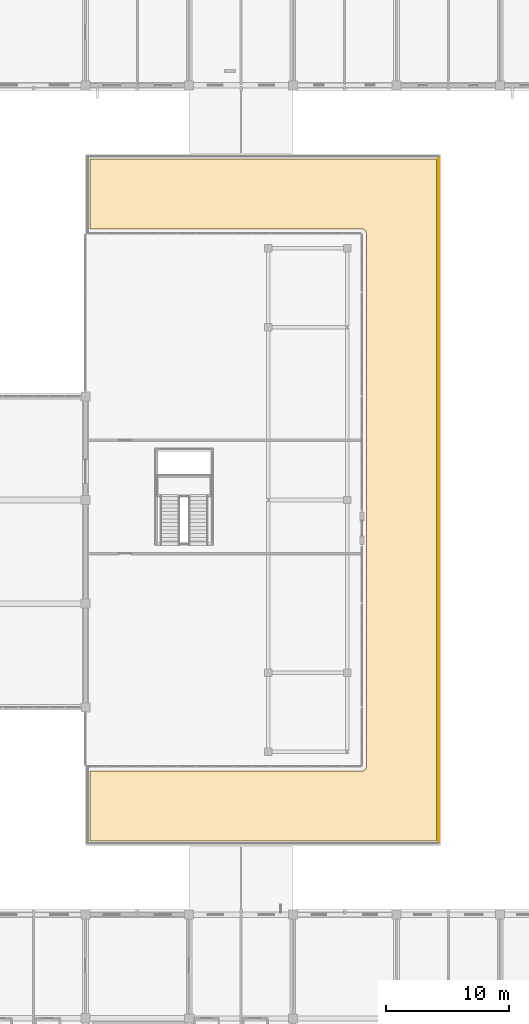
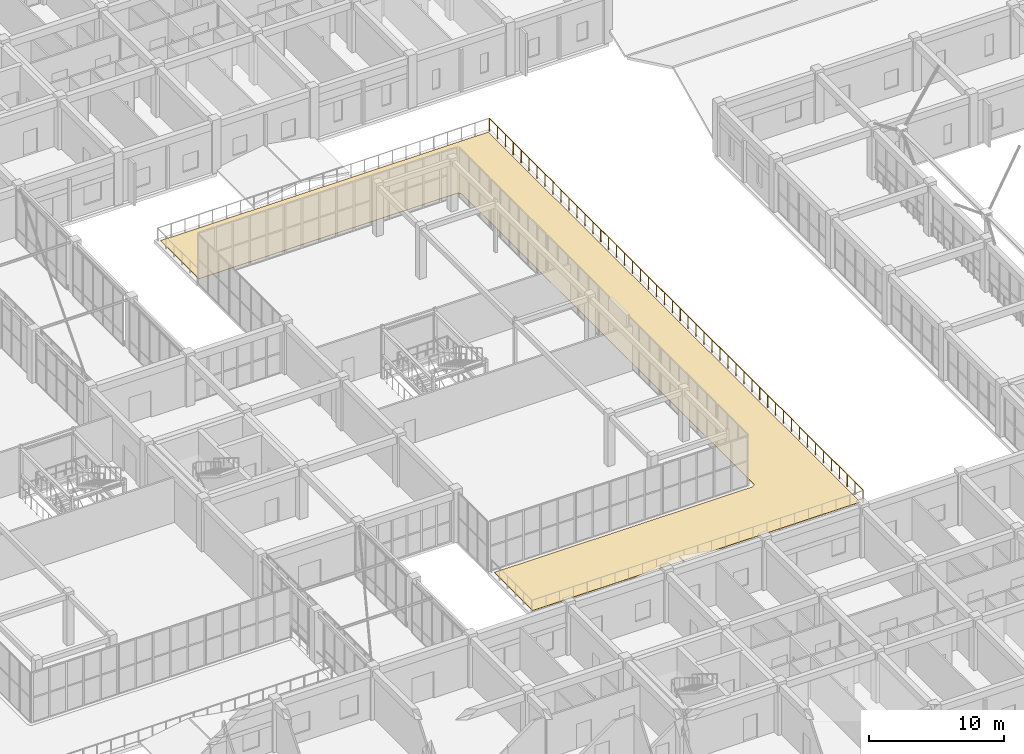
# One storey, part 151 of 158: 1 covering, 1 railing.
"""IFC4 building model written with IfcOpenShell, lengths in metres."""

from ifc_helpers import new_model, si_unit, direction, frame, origin, origin_2d, place, context, subcontext, project, spatial, polyline, circle, outline, extrude, material, layer, layer_set, type_object, element, save


model = new_model("IFC4")

# Units and contexts
model_context = context("Model", 3, precision=1e-05, world=origin(), true_north=direction((0.0, 1.0)))
body_context = subcontext(model_context, "Body", "Model", "MODEL_VIEW")
ifc_project = project(units=[si_unit("LENGTHUNIT", "METRE"), si_unit("AREAUNIT", "SQUARE_METRE"), si_unit("VOLUMEUNIT", "CUBIC_METRE"), si_unit("PLANEANGLEUNIT", "RADIAN"), si_unit("MASSUNIT", "GRAM", prefix="KILO")], contexts=[model_context])

# Site, building, storey
site_placement = place(None, origin())
site = spatial("IfcSite", under=ifc_project, at=site_placement, CompositionType="ELEMENT")
building_placement = place(site_placement, origin())
building = spatial("IfcBuilding", under=site, at=building_placement, Name="Trelvath General Hospital", CompositionType="ELEMENT")
storey_placement = place(building_placement, frame((0.0, 0.0, 8.10009765625)))
storey = spatial("IfcBuildingStorey", under=building, at=storey_placement, Name="L02", CompositionType="ELEMENT", Elevation=8.10009765625)

# Railing
ifc_material_1 = material(Name="Architectural painted steel", Category="steel")
railing_type = type_object("IfcRailingType", Name="Guardrail Terrace1150", PredefinedType="GUARDRAIL", material=ifc_material_1)
railing_placement = place(storey_placement, frame((121.02001953125, 31.0400390625, 0.0)))
element("IfcRailing", 1, at=railing_placement, inside=storey, type_object=railing_type, Name="Cube Terrace Guardrail TERR-CE-U2 2 25", PredefinedType="GUARDRAIL", context=body_context, shape_type="SweptSolid", body=[
    extrude(circle(Radius=0.02392578125, at=origin_2d()), frame((0.0, 0.0, 1.1259765625), z_axis=(0.0, 1.0, 0.0), x_axis=(-1.0, 0.0, 0.0)), (0.0, 0.0, 1.0), 55.52001953125),
    extrude(circle(Radius=0.02099609375, at=origin_2d()), origin(), (0.0, 0.0, 1.0), 1.099853515625),
    extrude(circle(Radius=0.02099609375, at=origin_2d()), frame((0.0, 1.181396484375, 0.0)), (0.0, 0.0, 1.0), 1.099853515625),
    extrude(circle(Radius=0.02099609375, at=origin_2d()), frame((0.0, 2.362548828125, 0.0)), (0.0, 0.0, 1.0), 1.099853515625),
    extrude(circle(Radius=0.02099609375, at=origin_2d()), frame((0.0, 3.5439453125, 0.0)), (0.0, 0.0, 1.0), 1.099853515625),
    extrude(circle(Radius=0.02099609375, at=origin_2d()), frame((0.0, 4.72509765625, 0.0)), (0.0, 0.0, 1.0), 1.099853515625),
    extrude(circle(Radius=0.02099609375, at=origin_2d()), frame((0.0, 5.906494140625, 0.0)), (0.0, 0.0, 1.0), 1.099853515625),
    extrude(circle(Radius=0.02099609375, at=origin_2d()), frame((0.0, 7.087646484375, 0.0)), (0.0, 0.0, 1.0), 1.099853515625),
    extrude(circle(Radius=0.02099609375, at=origin_2d()), frame((0.0, 8.26904296875, 0.0)), (0.0, 0.0, 1.0), 1.099853515625),
    extrude(circle(Radius=0.02099609375, at=origin_2d()), frame((0.0, 9.4501953125, 0.0)), (0.0, 0.0, 1.0), 1.099853515625),
    extrude(circle(Radius=0.02099609375, at=origin_2d()), frame((0.0, 10.631591796875, 0.0)), (0.0, 0.0, 1.0), 1.099853515625),
    extrude(circle(Radius=0.02099609375, at=origin_2d()), frame((0.0, 11.812744140625, 0.0)), (0.0, 0.0, 1.0), 1.099853515625),
    extrude(circle(Radius=0.02099609375, at=origin_2d()), frame((0.0, 12.994140625, 0.0)), (0.0, 0.0, 1.0), 1.099853515625),
    extrude(circle(Radius=0.02099609375, at=origin_2d()), frame((0.0, 14.17529296875, 0.0)), (0.0, 0.0, 1.0), 1.099853515625),
    extrude(circle(Radius=0.02099609375, at=origin_2d()), frame((0.0, 15.356689453125, 0.0)), (0.0, 0.0, 1.0), 1.099853515625),
    extrude(circle(Radius=0.02099609375, at=origin_2d()), frame((0.0, 16.537841796875, 0.0)), (0.0, 0.0, 1.0), 1.099853515625),
    extrude(circle(Radius=0.02099609375, at=origin_2d()), frame((0.0, 17.71923828125, 0.0)), (0.0, 0.0, 1.0), 1.099853515625),
    extrude(circle(Radius=0.02099609375, at=origin_2d()), frame((0.0, 18.900390625, 0.0)), (0.0, 0.0, 1.0), 1.099853515625),
    extrude(circle(Radius=0.02099609375, at=origin_2d()), frame((0.0, 20.081787109375, 0.0)), (0.0, 0.0, 1.0), 1.099853515625),
    extrude(circle(Radius=0.02099609375, at=origin_2d()), frame((0.0, 21.262939453125, 0.0)), (0.0, 0.0, 1.0), 1.099853515625),
    extrude(circle(Radius=0.02099609375, at=origin_2d()), frame((0.0, 22.4443359375, 0.0)), (0.0, 0.0, 1.0), 1.099853515625),
    extrude(circle(Radius=0.02099609375, at=origin_2d()), frame((0.0, 23.62548828125, 0.0)), (0.0, 0.0, 1.0), 1.099853515625),
    extrude(circle(Radius=0.02099609375, at=origin_2d()), frame((0.0, 24.806884765625, 0.0)), (0.0, 0.0, 1.0), 1.099853515625),
    extrude(circle(Radius=0.02099609375, at=origin_2d()), frame((0.0, 25.988037109375, 0.0)), (0.0, 0.0, 1.0), 1.099853515625),
    extrude(circle(Radius=0.02099609375, at=origin_2d()), frame((0.0, 27.16943359375, 0.0)), (0.0, 0.0, 1.0), 1.099853515625),
    extrude(circle(Radius=0.02099609375, at=origin_2d()), frame((0.0, 28.3505859375, 0.0)), (0.0, 0.0, 1.0), 1.099853515625),
    extrude(circle(Radius=0.02099609375, at=origin_2d()), frame((0.0, 29.531982421875, 0.0)), (0.0, 0.0, 1.0), 1.099853515625),
    extrude(circle(Radius=0.02099609375, at=origin_2d()), frame((0.0, 30.713134765625, 0.0)), (0.0, 0.0, 1.0), 1.099853515625),
    extrude(circle(Radius=0.02099609375, at=origin_2d()), frame((0.0, 31.89453125, 0.0)), (0.0, 0.0, 1.0), 1.099853515625),
    extrude(circle(Radius=0.02099609375, at=origin_2d()), frame((0.0, 33.07568359375, 0.0)), (0.0, 0.0, 1.0), 1.099853515625),
    extrude(circle(Radius=0.02099609375, at=origin_2d()), frame((0.0, 34.257080078125, 0.0)), (0.0, 0.0, 1.0), 1.099853515625),
    extrude(circle(Radius=0.02099609375, at=origin_2d()), frame((0.0, 35.438232421875, 0.0)), (0.0, 0.0, 1.0), 1.099853515625),
    extrude(circle(Radius=0.02099609375, at=origin_2d()), frame((0.0, 36.61962890625, 0.0)), (0.0, 0.0, 1.0), 1.099853515625),
    extrude(circle(Radius=0.02099609375, at=origin_2d()), frame((0.0, 37.80078125, 0.0)), (0.0, 0.0, 1.0), 1.099853515625),
    extrude(circle(Radius=0.02099609375, at=origin_2d()), frame((0.0, 38.982177734375, 0.0)), (0.0, 0.0, 1.0), 1.099853515625),
    extrude(circle(Radius=0.02099609375, at=origin_2d()), frame((0.0, 40.163330078125, 0.0)), (0.0, 0.0, 1.0), 1.099853515625),
    extrude(circle(Radius=0.02099609375, at=origin_2d()), frame((0.0, 41.3447265625, 0.0)), (0.0, 0.0, 1.0), 1.099853515625),
    extrude(circle(Radius=0.02099609375, at=origin_2d()), frame((0.0, 42.52587890625, 0.0)), (0.0, 0.0, 1.0), 1.099853515625),
    extrude(circle(Radius=0.02099609375, at=origin_2d()), frame((0.0, 43.707275390625, 0.0)), (0.0, 0.0, 1.0), 1.099853515625),
    extrude(circle(Radius=0.02099609375, at=origin_2d()), frame((0.0, 44.888427734375, 0.0)), (0.0, 0.0, 1.0), 1.099853515625),
    extrude(circle(Radius=0.02099609375, at=origin_2d()), frame((0.0, 46.06982421875, 0.0)), (0.0, 0.0, 1.0), 1.099853515625),
    extrude(circle(Radius=0.02099609375, at=origin_2d()), frame((0.0, 47.2509765625, 0.0)), (0.0, 0.0, 1.0), 1.099853515625),
    extrude(circle(Radius=0.02099609375, at=origin_2d()), frame((0.0, 48.432373046875, 0.0)), (0.0, 0.0, 1.0), 1.099853515625),
    extrude(circle(Radius=0.02099609375, at=origin_2d()), frame((0.0, 49.613525390625, 0.0)), (0.0, 0.0, 1.0), 1.099853515625),
    extrude(circle(Radius=0.02099609375, at=origin_2d()), frame((0.0, 50.794921875, 0.0)), (0.0, 0.0, 1.0), 1.099853515625),
    extrude(circle(Radius=0.02099609375, at=origin_2d()), frame((0.0, 51.97607421875, 0.0)), (0.0, 0.0, 1.0), 1.099853515625),
    extrude(circle(Radius=0.02099609375, at=origin_2d()), frame((0.0, 53.157470703125, 0.0)), (0.0, 0.0, 1.0), 1.099853515625),
    extrude(circle(Radius=0.02099609375, at=origin_2d()), frame((0.0, 54.338623046875, 0.0)), (0.0, 0.0, 1.0), 1.099853515625),
    extrude(circle(Radius=0.02099609375, at=origin_2d()), frame((0.0, 55.52001953125, 0.0)), (0.0, 0.0, 1.0), 1.099853515625),
])

# Covering
ifc_material_2 = material(Name="Planted green roof substrate")
ifc_layer = layer(ifc_material_2, 0.179931640625)
ifc_layer_set = layer_set([ifc_layer], Name="Planted green roof substrate")
covering_type = type_object("IfcCoveringType", Name="Roofing PlantedGarden", PredefinedType="ROOFING", material=ifc_layer_set)
covering_placement = place(storey_placement, origin())
element("IfcCovering", 2, at=covering_placement, inside=storey, type_object=covering_type, Name="Crystal Cube Planted Garden TERR-CE-U2", PredefinedType="ROOFING", context=body_context, shape_type="SweptSolid", body=[
    extrude(outline(polyline([(92.75, 31.14990234375), (92.75, 36.85009765625), (114.800048828125, 36.85009765625), (114.834228515625, 36.851806640625), (114.868408203125, 36.856689453125), (114.901611328125, 36.864990234375), (114.933837890625, 36.876708984375), (114.965087890625, 36.891357421875), (114.994384765625, 36.908935546875), (115.02197265625, 36.929443359375), (115.047607421875, 36.952392578125), (115.070556640625, 36.97802734375), (115.091064453125, 37.005615234375), (115.108642578125, 37.034912109375), (115.123291015625, 37.066162109375), (115.135009765625, 37.098388671875), (115.143310546875, 37.131591796875), (115.148193359375, 37.165771484375), (115.14990234375, 37.199951171875), (115.14990234375, 80.39990234375), (115.148193359375, 80.434326171875), (115.143310546875, 80.46826171875), (115.135009765625, 80.501708984375), (115.123291015625, 80.533935546875), (115.108642578125, 80.56494140625), (115.091064453125, 80.594482421875), (115.070556640625, 80.6220703125), (115.047607421875, 80.6474609375), (115.02197265625, 80.670654296875), (114.994384765625, 80.69091796875), (114.965087890625, 80.708740234375), (114.933837890625, 80.723388671875), (114.901611328125, 80.73486328125), (114.868408203125, 80.743408203125), (114.834228515625, 80.748291015625), (114.800048828125, 80.75), (92.75, 80.75), (92.75, 86.449951171875), (120.85009765625, 86.449951171875), (120.85009765625, 31.14990234375), (92.75, 31.14990234375)])), origin(), (0.0, 0.0, 1.0), 0.039794921875),
])

save(model, "model.ifc")
